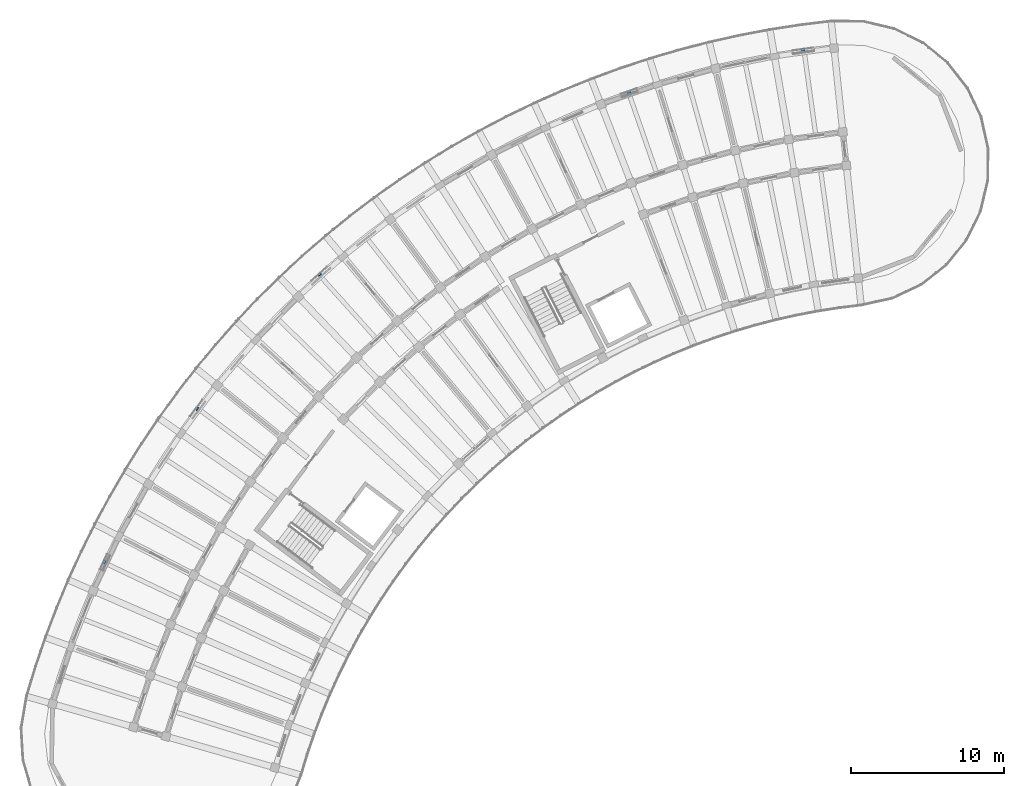
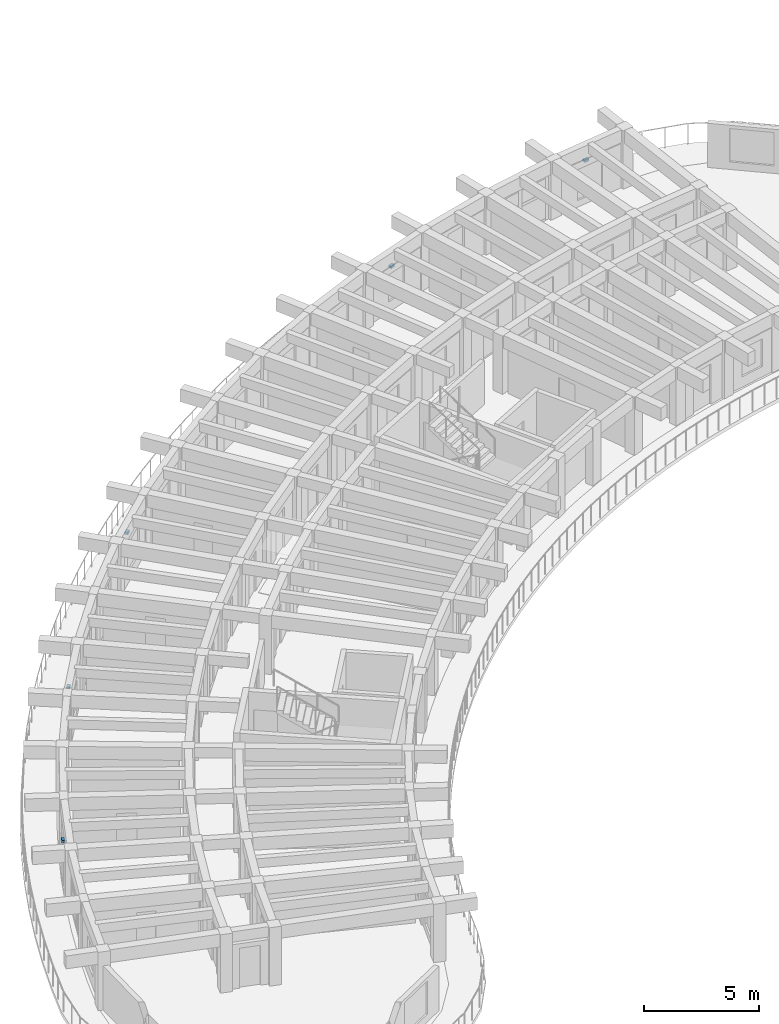
# One storey, part 62 of 81: 5 discrete accessories.
"""IFC4 building model written with IfcOpenShell, lengths in metres."""

import ifcopenshell
import ifcopenshell.guid

model = None  # the IFC model being written
_history = None  # IfcOwnerHistory: only IFC2X3 demands one
_inside = {}  # id of a spatial element -> (the spatial element, [elements in it])
_under = {}  # id of a project, library or spatial element -> (it, [spatial elements below it])
_declared = {}  # id of a project -> (the project, [libraries it declares])
_typed = {}  # id of a type object -> (the type object, [elements of that type])
_made_of = {}  # id of a material, layer set ... -> (it, [elements and type objects made of it])


def new_model(schema):
    """Start an empty IFC model of exactly this schema.

    Asked for "IFC4X3", IfcOpenShell would pick the latest addendum, in which some entities
    have other attributes; the version numbers below select the first issue.
    IFC2X3 requires an IfcOwnerHistory on every rooted entity: one is made here for all.
    """
    global model, _history
    if schema == "IFC4X3":
        model = ifcopenshell.file(schema_version=(4, 3, 0, 0))
    else:
        model = ifcopenshell.file(schema=schema)
    _inside.clear()
    _under.clear()
    _declared.clear()
    _typed.clear()
    _made_of.clear()
    _history = None
    if model.schema == "IFC2X3":
        org = make("IfcOrganization", Name="unknown")
        user = make(
            "IfcPersonAndOrganization",
            ThePerson=make("IfcPerson", FamilyName="unknown"),
            TheOrganization=org,
        )
        app = make(
            "IfcApplication",
            ApplicationDeveloper=org,
            Version="unknown",
            ApplicationFullName="unknown",
            ApplicationIdentifier="unknown",
        )
        _history = make(
            "IfcOwnerHistory",
            OwningUser=user,
            OwningApplication=app,
            ChangeAction="ADDED",
            CreationDate=0,
        )
    return model


def make(cls, **values):
    """One entity of the class cls with the attributes given. An attribute that is None is left unset."""
    return model.create_entity(
        cls, **{name: value for name, value in values.items() if value is not None}
    )


def rooted(cls, **values):
    """An entity with a GlobalId (a new one), such as an element, a storey or a relation."""
    return make(cls, GlobalId=ifcopenshell.guid.new(), OwnerHistory=_history, **values)


def si_unit(unit_type, name, prefix=None):
    """IfcSIUnit, for example si_unit("LENGTHUNIT", "METRE", prefix="MILLI")."""
    return make("IfcSIUnit", UnitType=unit_type, Prefix=prefix, Name=name)


def assignment(units):
    """IfcUnitAssignment: the units of a project."""
    return None if units is None else make("IfcUnitAssignment", Units=units)


def point(xyz):
    """IfcCartesianPoint."""
    return None if xyz is None else make("IfcCartesianPoint", Coordinates=xyz)


def direction(xyz):
    """IfcDirection."""
    return None if xyz is None else make("IfcDirection", DirectionRatios=xyz)


def frame(location, z_axis=None, x_axis=None):
    """IfcAxis2Placement3D, a coordinate frame: its origin and axes. An axis left out is left unset."""
    return make(
        "IfcAxis2Placement3D",
        Location=point(location),
        Axis=direction(z_axis),
        RefDirection=direction(x_axis),
    )


def frame_2d(location, x_axis=None):
    """IfcAxis2Placement2D, a coordinate frame in the plane: its origin and x axis."""
    return make(
        "IfcAxis2Placement2D", Location=point(location), RefDirection=direction(x_axis)
    )


def origin():
    """The frame at (0, 0, 0) with its axes left unset."""
    return frame((0.0, 0.0, 0.0))


def origin_2d():
    """The frame at (0, 0) in the plane with its x axis left unset."""
    return frame_2d((0.0, 0.0))


def place(relative_to, where):
    """IfcLocalPlacement: puts the frame where relative to a parent placement (None: the world)."""
    return make(
        "IfcLocalPlacement", PlacementRelTo=relative_to, RelativePlacement=where
    )


def context(
    kind, dimensions, precision=None, world=None, true_north=None, identifier=None
):
    """IfcGeometricRepresentationContext, for example the 3D "Model" context."""
    return make(
        "IfcGeometricRepresentationContext",
        ContextIdentifier=identifier,
        ContextType=kind,
        CoordinateSpaceDimension=dimensions,
        Precision=precision,
        WorldCoordinateSystem=world,
        TrueNorth=true_north,
    )


def subcontext(parent, identifier, kind, view, scale=None):
    """IfcGeometricRepresentationSubContext, for example "Body" below "Model"."""
    return make(
        "IfcGeometricRepresentationSubContext",
        ContextIdentifier=identifier,
        ContextType=kind,
        ParentContext=parent,
        TargetScale=scale,
        TargetView=view,
    )


def project(units=None, contexts=None):
    """IfcProject with its units and contexts."""
    return rooted(
        "IfcProject",
        Name="project",
        RepresentationContexts=contexts,
        UnitsInContext=assignment(units),
    )


def spatial(cls, under=None, at=None, **own):
    """A site, building, storey or space (cls), placed at a placement, below another one or the project."""
    s = rooted(cls, ObjectPlacement=at, **own)
    if under is not None:
        _under.setdefault(under.id(), (under, []))[1].append(s)
    return s


def profile(cls, at=None, kind="AREA", **sizes):
    """A parametric profile (cls). Its sizes go by their IFC names, for example OverallWidth=200.0."""
    return make(cls, ProfileType=kind, Position=at, **sizes)


def rectangle(**sizes):
    """IfcRectangleProfileDef."""
    return profile("IfcRectangleProfileDef", **sizes)


def extrude(swept, where, along, depth):
    """IfcExtrudedAreaSolid: the profile swept, set in the frame where, extruded along a direction by depth."""
    return make(
        "IfcExtrudedAreaSolid",
        SweptArea=swept,
        Position=where,
        ExtrudedDirection=direction(along),
        Depth=depth,
    )


def shape(context_of_items, identifier, shape_type, items):
    """IfcShapeRepresentation: the items that make up one representation, for example the "Body"."""
    return make(
        "IfcShapeRepresentation",
        ContextOfItems=context_of_items,
        RepresentationIdentifier=identifier,
        RepresentationType=shape_type,
        Items=items,
    )


def material(Name=None, Category=None):
    """IfcMaterial."""
    return make("IfcMaterial", Name=Name, Category=Category)


def made_of(thing, what):
    """Note that an element or type object is made of a material, layer set ...; save() writes the relation."""
    if what is not None:
        _made_of.setdefault(what.id(), (what, []))[1].append(thing)
    return thing


def type_object(cls, material=None, **own):
    """A type object (cls), such as IfcWallType, which elements share."""
    return made_of(rooted(cls, **own), material)


def element(
    cls,
    number,
    at=None,
    inside=None,
    cuts=None,
    type_object=None,
    material=None,
    context=None,
    identifier="Body",
    shape_type=None,
    held_by="IfcProductDefinitionShape",
    body=None,
    shapes=None,
    **own,
):
    """One element of the class cls, such as IfcWall. Its Tag is "e" and its number.

    at: its placement. inside: the storey or other place that contains it. cuts: it is an
    opening in that element (IfcRelVoidsElement). A single representation is given by context,
    identifier, shape_type and body (its items); several are given by shapes. held_by: the class
    of the entity that holds the representations. save() writes the other relations.
    """
    e = rooted(cls, Tag="e%d" % number, ObjectPlacement=at, **own)
    if body is not None:
        shapes = [shape(context, identifier, shape_type, body)]
    if shapes is not None:
        e.Representation = make(held_by, Representations=shapes)
    if inside is not None:
        _inside.setdefault(inside.id(), (inside, []))[1].append(e)
    if cuts is not None:
        rooted(
            "IfcRelVoidsElement", RelatingBuildingElement=cuts, RelatedOpeningElement=e
        )
    if type_object is not None:
        _typed.setdefault(type_object.id(), (type_object, []))[1].append(e)
    return made_of(e, material)


def aggregate(whole, parts):
    """IfcRelAggregates: a whole, such as a stair, and the parts it consists of."""
    return rooted("IfcRelAggregates", RelatingObject=whole, RelatedObjects=parts)


def save(model, path):
    """Write the relations noted so far, then the file.

    IfcRelAggregates (storeys below a building ...), IfcRelContainedInSpatialStructure (elements
    in a storey), IfcRelDefinesByType, IfcRelAssociatesMaterial and IfcRelDeclares: one each for
    every whole, place, type object, material and project.
    """
    for whole, parts in _under.values():
        aggregate(whole, parts)
    for where, things in _inside.values():
        rooted(
            "IfcRelContainedInSpatialStructure",
            RelatedElements=things,
            RelatingStructure=where,
        )
    for kind, things in _typed.values():
        rooted("IfcRelDefinesByType", RelatedObjects=things, RelatingType=kind)
    for what, things in _made_of.values():
        rooted("IfcRelAssociatesMaterial", RelatedObjects=things, RelatingMaterial=what)
    for by, libraries in _declared.values():
        rooted("IfcRelDeclares", RelatingContext=by, RelatedDefinitions=libraries)
    model.write(path)


model = new_model("IFC4")

# Units and contexts
model_context = context("Model", 3, precision=1e-05, world=origin(), true_north=direction((0.0, 1.0)))
body_context = subcontext(model_context, "Body", "Model", "MODEL_VIEW")
ifc_project = project(units=[si_unit("LENGTHUNIT", "METRE"), si_unit("AREAUNIT", "SQUARE_METRE"), si_unit("VOLUMEUNIT", "CUBIC_METRE"), si_unit("PLANEANGLEUNIT", "RADIAN"), si_unit("MASSUNIT", "GRAM", prefix="KILO")], contexts=[model_context])

# Site, building, storey
site_placement = place(None, origin())
site = spatial("IfcSite", under=ifc_project, at=site_placement, CompositionType="ELEMENT")
building_placement = place(site_placement, origin())
building = spatial("IfcBuilding", under=site, at=building_placement, Name="Tanwirah Colonnade Gardens", CompositionType="ELEMENT")
storey_placement = place(building_placement, frame((0.0, 0.0, 18.919921875)))
storey = spatial("IfcBuildingStorey", under=building, at=storey_placement, Name="L05", CompositionType="ELEMENT", Elevation=18.919921875)

# Discrete accessories
ifc_material = material(Name="Steel S355", Category="steel")
discrete_accessory_type = type_object("IfcDiscreteAccessoryType", Name="BRK-SS1", PredefinedType="BRACKET", material=ifc_material)
for number, where, z_axis, x_axis, name in (
    (1, (56.765380859375, 119.3193359375, 2.0), (0.0, 0.0, 1.0), (-0.990536278911, -0.137251157233, 0.0), "Solar screen support bracket A-L05-00"),
    (2, (45.38818359375, 116.576416015625, 2.0), (0.0, 0.0, 1.0), (-0.944248569489, -0.329233411151, 0.0), "Solar screen support bracket A-L05-03"),
    (3, (25.17724609375, 104.6640625, 2.110107421875), (0.0, 0.0, 1.0), (-0.744443246346, -0.667685744172, 0.0), "Solar screen support bracket A-L05-09"),
    (4, (17.1650390625, 95.9033203125, 2.0), (0.0, 0.0, 1.0), (-0.598713571255, -0.800963207392, 0.0), "Solar screen support bracket A-L05-12"),
    (5, (11.117919921875, 85.88330078125, 2.0), (0.0, 0.0, 1.0), (-0.429636092721, -0.903002119506, 0.0), "Solar screen support bracket A-L05-15"),
):
    element("IfcDiscreteAccessory", number, at=place(storey_placement, frame(where, z_axis=z_axis, x_axis=x_axis)), inside=storey, type_object=discrete_accessory_type, Name=name, PredefinedType="BRACKET", context=body_context, shape_type="SweptSolid", body=[
        extrude(rectangle(XDim=0.219970703125, YDim=0.159912109375, at=origin_2d()), origin(), (0.0, 0.0, 1.0), 0.1201171875),
    ])

save(model, "model.ifc")
